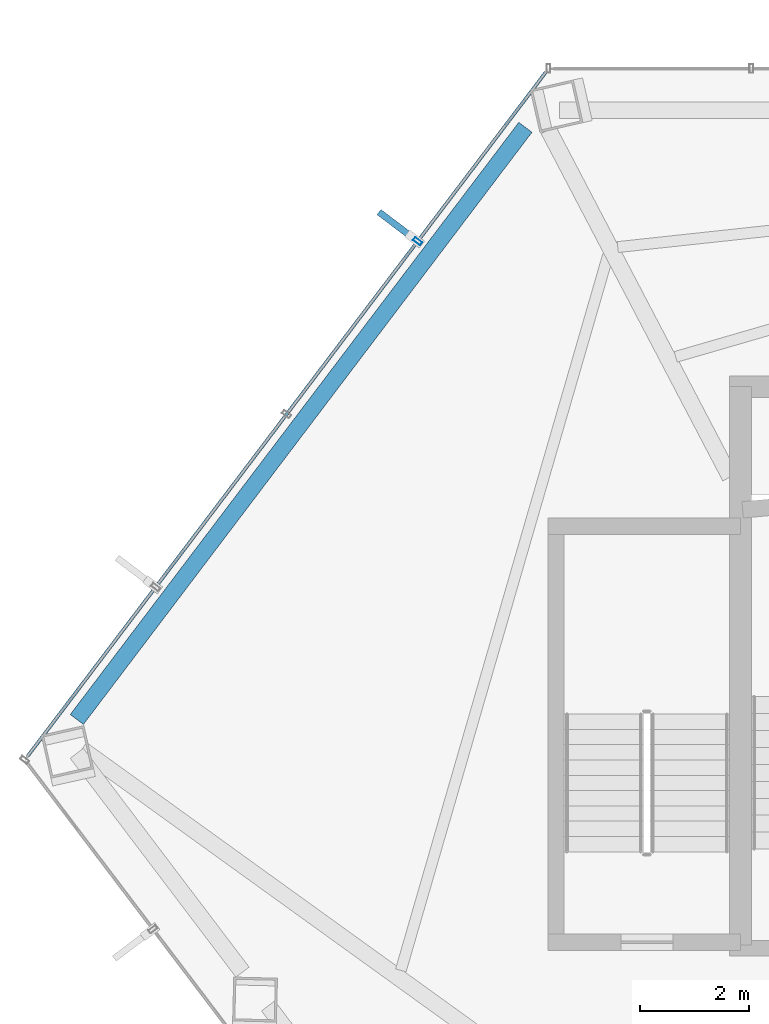
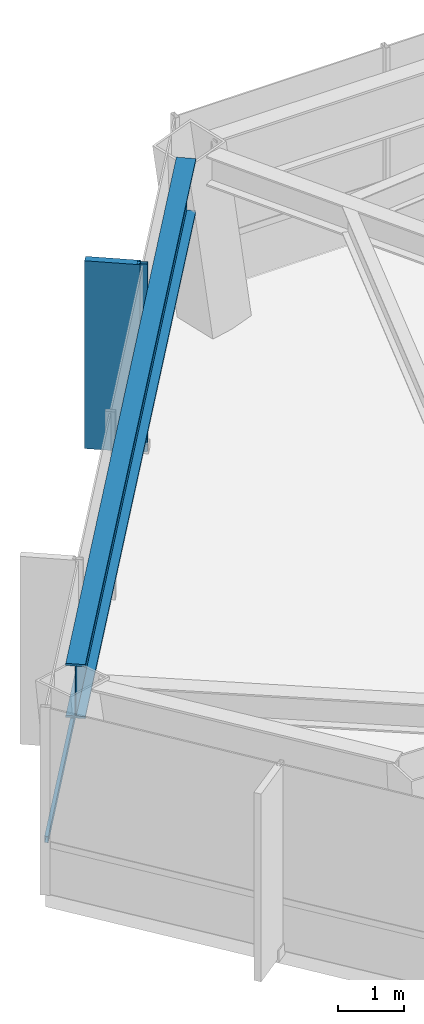
# One storey, part 12 of 30: 3 members, 1 beam, 1 element without a shape of its own.
"""IFC4 building model written with IfcOpenShell, lengths in metres."""

from ifc_helpers import new_model, si_unit, direction, frame, origin, origin_2d, place, context, subcontext, project, spatial, rectangle, hollow_rectangle, i_section, extrude, material, layer, layer_set, material_profile, profile_set, type_object, element, aggregate, save


model = new_model("IFC4")

# Units and contexts
model_context = context("Model", 3, precision=1e-05, world=origin(), true_north=direction((0.0, 1.0)))
body_context = subcontext(model_context, "Body", "Model", "MODEL_VIEW")
ifc_project = project(units=[si_unit("LENGTHUNIT", "METRE"), si_unit("AREAUNIT", "SQUARE_METRE"), si_unit("VOLUMEUNIT", "CUBIC_METRE"), si_unit("PLANEANGLEUNIT", "RADIAN"), si_unit("MASSUNIT", "GRAM", prefix="KILO")], contexts=[model_context])

# Site, building, storey
site_placement = place(None, origin())
site = spatial("IfcSite", under=ifc_project, at=site_placement, CompositionType="ELEMENT")
building_placement = place(site_placement, origin())
building = spatial("IfcBuilding", under=site, at=building_placement, Name="Zarrinselat Tower", CompositionType="ELEMENT")
storey_placement = place(building_placement, frame((0.0, 0.0, 130.89990234375)))
storey = spatial("IfcBuildingStorey", under=building, at=storey_placement, Name="L31", CompositionType="ELEMENT", Elevation=130.89990234375)

# Beam
ifc_material_1 = material(Name="Steel S460M", Category="steel")
ifc_material_profile_1 = material_profile(ifc_material_1, i_section(OverallWidth=0.302001953125, OverallDepth=1.008056640625, WebThickness=0.02099609375, FlangeThickness=0.0400390625, at=origin_2d()), Name="HEM 1000")
ifc_profile_set_1 = profile_set([ifc_material_profile_1], Name="Steel S460M")
beam_type = type_object("IfcBeamType", Name="BM-HEM1000", PredefinedType="BEAM", material=ifc_profile_set_1)
beam_placement = place(storey_placement, frame((16.472412109375, 37.36962890625, 2.99609375), z_axis=(0.603857341751, 0.79709241046, 0.0), x_axis=(-0.79709241046, 0.603857341751, 0.0)))
element("IfcBeam", 1, at=beam_placement, inside=storey, type_object=beam_type, Name="L31 Perimeter Spandrel Girder SP05", PredefinedType="BEAM", context=body_context, shape_type="SweptSolid", body=[
    extrude(i_section(OverallWidth=0.302001953125, OverallDepth=1.008056640625, WebThickness=0.02099609375, FlangeThickness=0.0400390625, at=origin_2d()), origin(), (0.0, 0.0, 1.0), 13.57568359375),
])

# Curtain wall, members
ifc_material_2 = material(Name="Extruded Aluminium Alloy EN AW-6063 T6", Category="aluminium")
ifc_layer = layer(ifc_material_2, 0.175048828125)
ifc_layer_set = layer_set([ifc_layer], Name="Extruded Aluminium Alloy EN AW-6063 T6")
curtain_wall_type = type_object("IfcCurtainWallType", Name="CWS-HTL", PredefinedType="NOTDEFINED", material=ifc_layer_set)
curtain_wall_placement = place(storey_placement, origin())
curtain_wall = element("IfcCurtainWall", 2, at=curtain_wall_placement, inside=storey, type_object=curtain_wall_type, Name="L31 Unitised Curtain Wall CW-L31-E02", PredefinedType="NOTDEFINED")
ifc_material_3 = material(Name="Extruded Aluminium Alloy EN AW-6063 T6", Category="aluminium")
ifc_material_profile_2 = material_profile(ifc_material_3, hollow_rectangle(XDim=0.070068359375, YDim=0.159912109375, WallThickness=0.00390625, at=origin_2d()), Name="RHS 160x70x4")
ifc_profile_set_2 = profile_set([ifc_material_profile_2], Name="Extruded Aluminium Alloy EN AW-6063 T6")
member_type_1 = type_object("IfcMemberType", Name="MEM-CW-MUL2", PredefinedType="MULLION", material=ifc_profile_set_2)
member_1_placement = place(storey_placement, frame((22.7001953125, 46.107421875, 0.0), z_axis=(0.0, 0.0, 1.0), x_axis=(-0.603858052292, -0.797091872172, 0.0)))
member_1 = element("IfcMember", 3, at=member_1_placement, type_object=member_type_1, Name="CW-L31-E02 Mullion 1", PredefinedType="MULLION", context=body_context, shape_type="SweptSolid", body=[
    extrude(hollow_rectangle(XDim=0.070068359375, YDim=0.159912109375, WallThickness=0.00390625, at=origin_2d()), origin(), (0.0, 0.0, 1.0), 3.5),
])
ifc_material_4 = material(Name="Extruded Aluminium Alloy EN AW-6063 T6", Category="aluminium")
ifc_material_profile_3 = material_profile(ifc_material_4, hollow_rectangle(XDim=0.06005859375, YDim=0.1201171875, WallThickness=0.00390625, at=origin_2d()), Name="RHS 120x60x4")
ifc_profile_set_3 = profile_set([ifc_material_profile_3], Name="Extruded Aluminium Alloy EN AW-6063 T6")
member_type_2 = type_object("IfcMemberType", Name="MEM-CW-TRN2", PredefinedType="USERDEFINED", material=ifc_profile_set_3)
member_2_placement = place(storey_placement, frame((25.039306640625, 49.195068359375, 0.9501953125), z_axis=(-0.603863085661, -0.797088058984, 0.0), x_axis=(0.797088058984, -0.603863085661, 0.0)))
member_2 = element("IfcMember", 4, at=member_2_placement, type_object=member_type_2, Name="CW-L31-E02 Transom 1", ObjectType="TRANSOM", PredefinedType="USERDEFINED", context=body_context, shape_type="SweptSolid", body=[
    extrude(hollow_rectangle(XDim=0.06005859375, YDim=0.1201171875, WallThickness=0.00390625, at=origin_2d()), origin(), (0.0, 0.0, 1.0), 15.675048828125),
])
ifc_material_5 = material(Name="Honed Cream Travertine Stone", Category="masonry")
ifc_material_profile_4 = material_profile(ifc_material_5, rectangle(XDim=0.1201171875, YDim=0.85009765625, at=origin_2d()), Name="FIN 850x120")
ifc_profile_set_4 = profile_set([ifc_material_profile_4], Name="Honed Cream Travertine Stone")
member_type_3 = type_object("IfcMemberType", Name="MEM-STONE-FIN", PredefinedType="USERDEFINED", material=ifc_profile_set_4)
member_3_placement = place(storey_placement, frame((22.33349609375, 46.385009765625, 0.0), z_axis=(0.0, 0.0, 1.0), x_axis=(0.603858052292, 0.797091872172, 0.0)))
member_3 = element("IfcMember", 5, at=member_3_placement, type_object=member_type_3, Name="L31 Stone Shading Fin CW-L31-E02-01", ObjectType="FIN", PredefinedType="USERDEFINED", context=body_context, shape_type="SweptSolid", body=[
    extrude(rectangle(XDim=0.1201171875, YDim=0.85009765625, at=origin_2d()), origin(), (0.0, 0.0, 1.0), 3.5),
])
aggregate(curtain_wall, [member_1, member_3, member_2])

save(model, "model.ifc")
